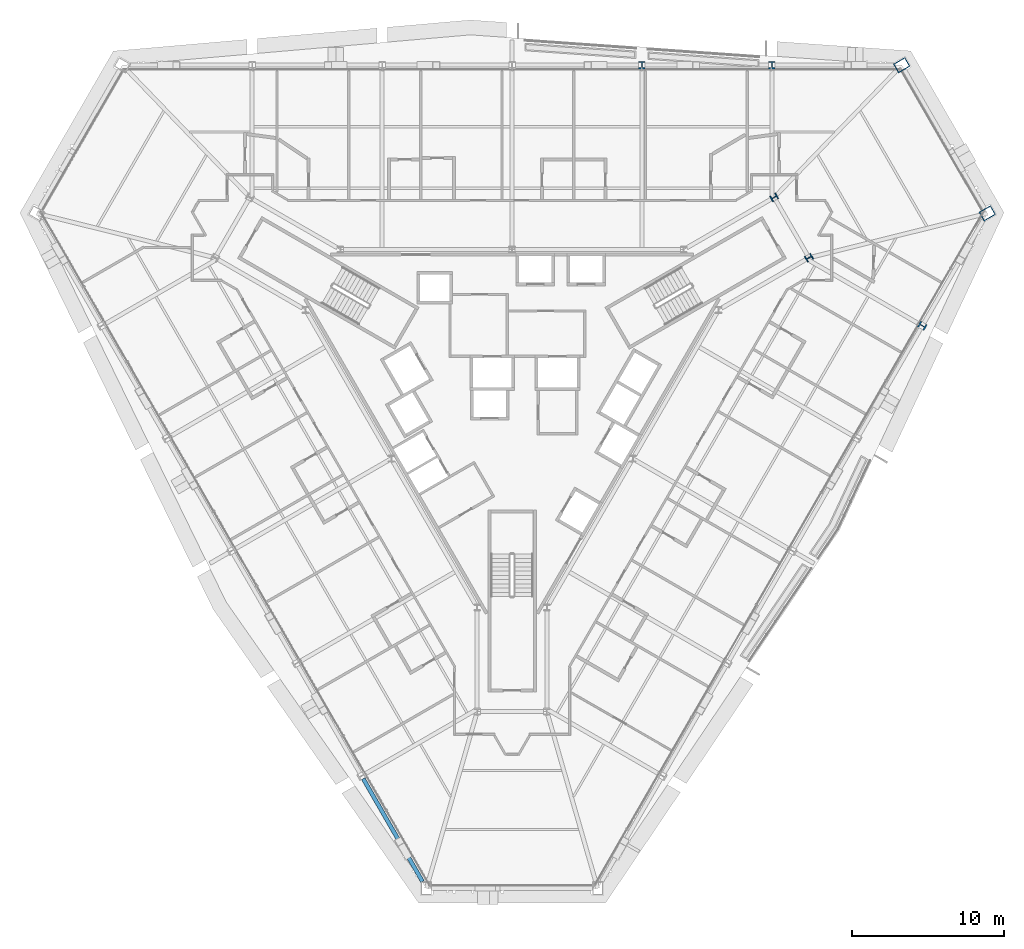
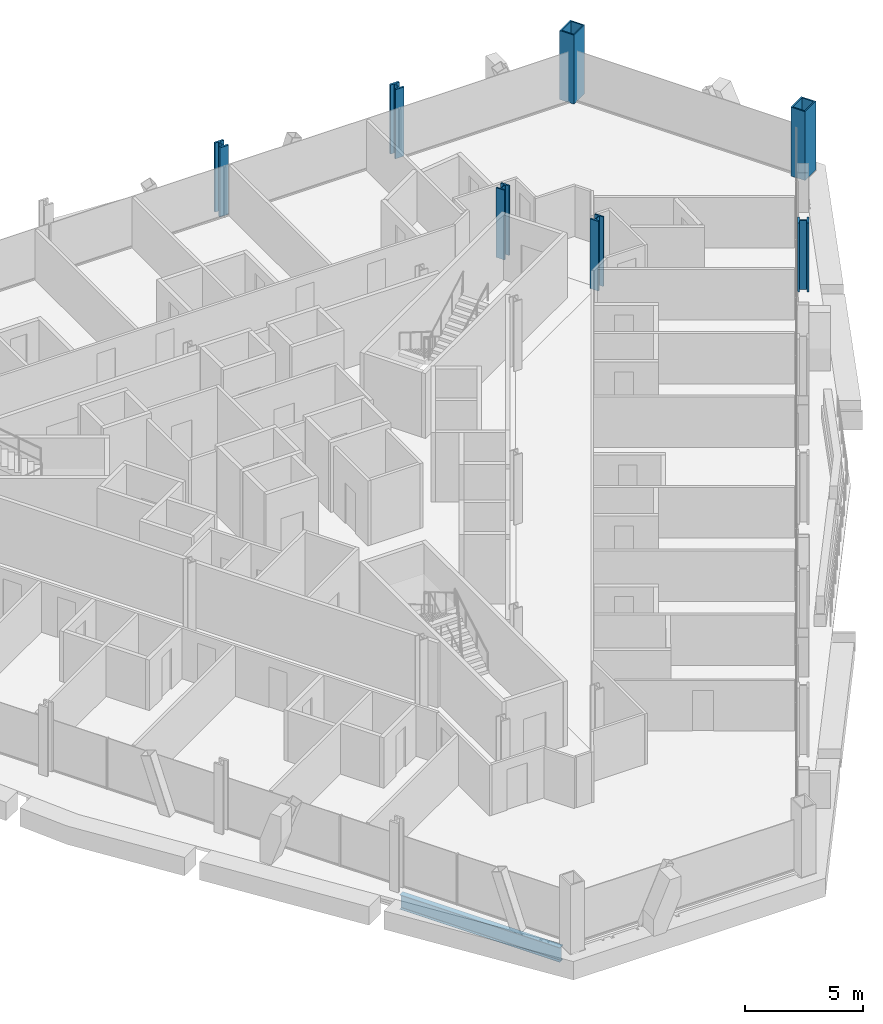
# One storey, part 2 of 20: 7 columns, 1 beam.
"""IFC4 building model written with IfcOpenShell, lengths in metres."""

from ifc_helpers import new_model, si_unit, direction, frame, origin, origin_2d, place, context, subcontext, project, spatial, hollow_rectangle, i_section, extrude, material, material_profile, profile_set, type_object, element, save


model = new_model("IFC4")

# Units and contexts
model_context = context("Model", 3, precision=1e-05, world=origin(), true_north=direction((0.0, 1.0)))
body_context = subcontext(model_context, "Body", "Model", "MODEL_VIEW")
ifc_project = project(units=[si_unit("LENGTHUNIT", "METRE"), si_unit("AREAUNIT", "SQUARE_METRE"), si_unit("VOLUMEUNIT", "CUBIC_METRE"), si_unit("PLANEANGLEUNIT", "RADIAN"), si_unit("MASSUNIT", "GRAM", prefix="KILO")], contexts=[model_context])

# Site, building, storey
site_placement = place(None, origin())
site = spatial("IfcSite", under=ifc_project, at=site_placement, CompositionType="ELEMENT")
building_placement = place(site_placement, origin())
building = spatial("IfcBuilding", under=site, at=building_placement, Name="Verrane Prism Tower", CompositionType="ELEMENT")
storey_placement = place(building_placement, frame((0.0, 0.0, 69.199951171875)))
storey = spatial("IfcBuildingStorey", under=building, at=storey_placement, Name="L15", CompositionType="ELEMENT", Elevation=69.199951171875)

# Columns
ifc_material_1 = material(Name="Steel A992", Category="steel")
ifc_material_profile_1 = material_profile(ifc_material_1, i_section(OverallWidth=0.419189453125, OverallDepth=0.45458984375, WebThickness=0.042236328125, FlangeThickness=0.067626953125, FilletRadius=0.01513671875, at=origin_2d()), Name="W14x370")
ifc_profile_set_1 = profile_set([ifc_material_profile_1], Name="Steel A992")
column_type_1 = type_object("IfcColumnType", Name="Core corner column W14x370", PredefinedType="COLUMN", material=ifc_profile_set_1)
for number, where, z_axis, x_axis, name in (
    (1, (19.60009765625, 8.659912109375, 0.0), (0.0, 0.0, 1.0), (0.5, -0.866025403784, 0.0), "Core corner column CK-NEm L15"),
    (2, (17.300048828125, 12.639892578125, 0.0), (0.0, 0.0, 1.0), (0.5, -0.866025403784, 0.0), "Core corner column CK-NEp L15"),
):
    element("IfcColumn", number, at=place(storey_placement, frame(where, z_axis=z_axis, x_axis=x_axis)), inside=storey, type_object=column_type_1, Name=name, PredefinedType="COLUMN", context=body_context, shape_type="SweptSolid", body=[
        extrude(i_section(OverallWidth=0.419189453125, OverallDepth=0.45458984375, WebThickness=0.042236328125, FlangeThickness=0.067626953125, FilletRadius=0.01513671875, at=origin_2d()), origin(), (0.0, 0.0, 1.0), 3.60009765625),
    ])
ifc_material_2 = material(Name="Steel A572 Grade 50", Category="steel")
ifc_material_profile_2 = material_profile(ifc_material_2, hollow_rectangle(XDim=0.699951171875, YDim=0.89990234375, WallThickness=0.06494140625, at=origin_2d()), Name="BOX 900x700x65")
ifc_profile_set_2 = profile_set([ifc_material_profile_2], Name="Steel A572 Grade 50")
column_type_2 = type_object("IfcColumnType", Name="Megacolumn BOX 900x700x65", PredefinedType="COLUMN", material=ifc_profile_set_2)
for number, where, z_axis, x_axis, name in (
    (3, (25.719970703125, 21.3701171875, 0.0), (0.0, 0.0, 1.0), (0.5, -0.866025403784, 0.0), "Megacolumn MC-NE.b L15"),
    (4, (31.3701171875, 11.590087890625, 0.0), (0.0, 0.0, 1.0), (0.5, -0.866025403784, 0.0), "Megacolumn MC-NE.a L15"),
):
    element("IfcColumn", number, at=place(storey_placement, frame(where, z_axis=z_axis, x_axis=x_axis)), inside=storey, type_object=column_type_2, Name=name, PredefinedType="COLUMN", context=body_context, shape_type="SweptSolid", body=[
        extrude(hollow_rectangle(XDim=0.699951171875, YDim=0.89990234375, WallThickness=0.06494140625, at=origin_2d()), origin(), (0.0, 0.0, 1.0), 3.56005859375),
    ])
ifc_material_3 = material(Name="Steel A992", Category="steel")
ifc_material_profile_3 = material_profile(ifc_material_3, i_section(OverallWidth=0.431884765625, OverallDepth=0.497802734375, WebThickness=0.0556640625, FlangeThickness=0.0888671875, FilletRadius=0.01513671875, at=origin_2d()), Name="W14x500")
ifc_profile_set_3 = profile_set([ifc_material_profile_3], Name="Steel A992")
column_type_3 = type_object("IfcColumnType", Name="Perimeter column W14x500", PredefinedType="COLUMN", material=ifc_profile_set_3)
for number, where, z_axis, x_axis, name in (
    (5, (17.14990234375, 21.3701171875, 0.0), (0.0, 0.0, 1.0), (1.0, 0.0, 0.0), "Perimeter column PC-N1 L15"),
    (6, (8.570068359375, 21.3701171875, 0.0), (0.0, 0.0, 1.0), (1.0, 0.0, 0.0), "Perimeter column PC-N2 L15"),
    (7, (27.080078125, 4.169921875, 0.0), (0.0, 0.0, 1.0), (-0.5, -0.866025403784, 0.0), "Perimeter column PC-SE5 L15"),
):
    element("IfcColumn", number, at=place(storey_placement, frame(where, z_axis=z_axis, x_axis=x_axis)), inside=storey, type_object=column_type_3, Name=name, PredefinedType="COLUMN", context=body_context, shape_type="SweptSolid", body=[
        extrude(i_section(OverallWidth=0.431884765625, OverallDepth=0.497802734375, WebThickness=0.0556640625, FlangeThickness=0.0888671875, FilletRadius=0.01513671875, at=origin_2d()), origin(), (0.0, 0.0, 1.0), 3.574951171875),
    ])

# Beam
ifc_material_4 = material(Name="Steel A992", Category="steel")
ifc_material_profile_4 = material_profile(ifc_material_4, i_section(OverallWidth=0.2666015625, OverallDepth=0.7568359375, WebThickness=0.013916015625, FlangeThickness=0.019287109375, FilletRadius=0.0166015625, at=origin_2d()), Name="W30x108")
ifc_profile_set_4 = profile_set([ifc_material_profile_4], Name="Steel A992")
beam_type = type_object("IfcBeamType", Name="Spandrel beam W30x108", PredefinedType="SPANDREL", material=ifc_profile_set_4)
beam_placement = place(storey_placement, frame((-9.822021484375, -25.72705078125, -0.538330078125), z_axis=(0.499636978106, -0.866234893149, 0.0), x_axis=(0.866234893149, 0.499636978106, 0.0)))
element("IfcBeam", 8, at=beam_placement, inside=storey, type_object=beam_type, Name="Spandrel beam L15", PredefinedType="SPANDREL", context=body_context, shape_type="SweptSolid", body=[
    extrude(i_section(OverallWidth=0.2666015625, OverallDepth=0.7568359375, WebThickness=0.013916015625, FlangeThickness=0.019287109375, FilletRadius=0.0166015625, at=origin_2d()), origin(), (0.0, 0.0, 1.0), 7.830322265625),
])

save(model, "model.ifc")
